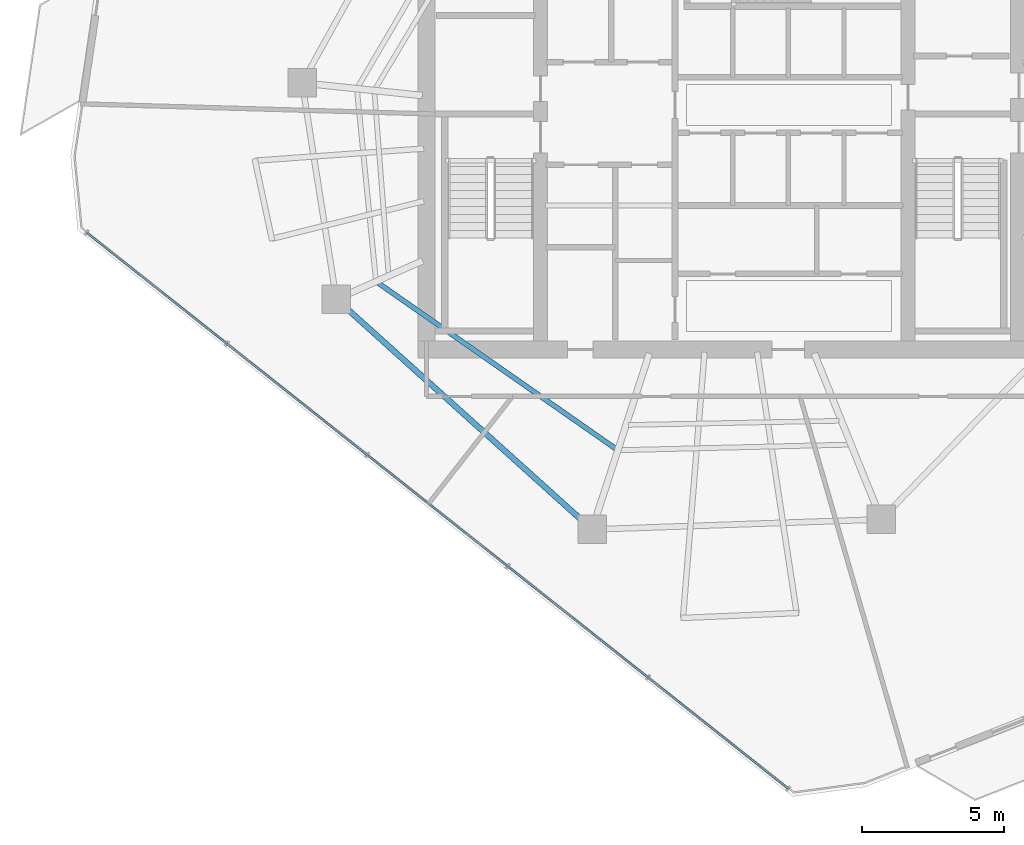
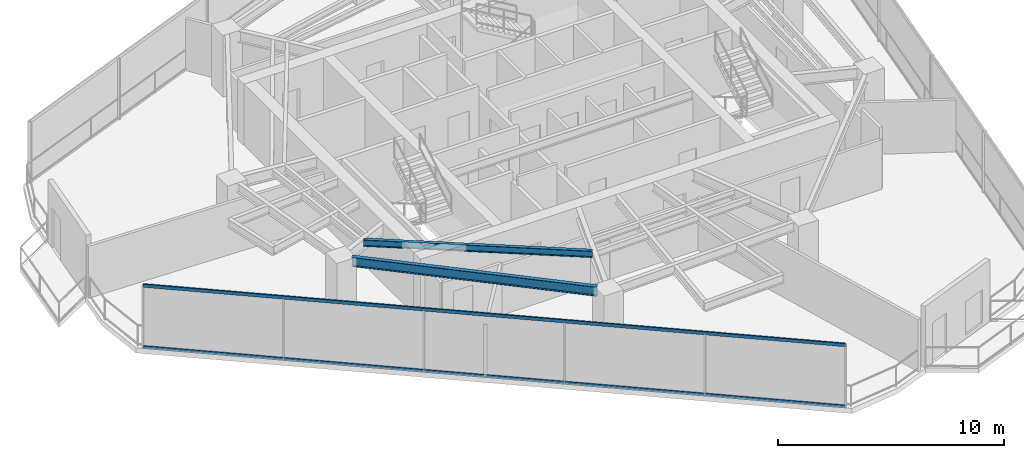
# One storey, part 3 of 20: 2 beams, 2 members, 1 element without a shape of its own.
"""IFC4 building model written with IfcOpenShell, lengths in metres."""

from ifc_helpers import new_model, si_unit, direction, frame, origin, origin_2d, place, context, subcontext, project, spatial, hollow_rectangle, i_section, extrude, material, layer, layer_set, material_profile, profile_set, type_object, element, aggregate, save


model = new_model("IFC4")

# Units and contexts
model_context = context("Model", 3, precision=1e-05, world=origin(), true_north=direction((0.0, 1.0)))
body_context = subcontext(model_context, "Body", "Model", "MODEL_VIEW")
ifc_project = project(units=[si_unit("LENGTHUNIT", "METRE"), si_unit("AREAUNIT", "SQUARE_METRE"), si_unit("VOLUMEUNIT", "CUBIC_METRE"), si_unit("PLANEANGLEUNIT", "RADIAN"), si_unit("MASSUNIT", "GRAM", prefix="KILO")], contexts=[model_context])

# Site, building, storey
site_placement = place(None, origin())
site = spatial("IfcSite", under=ifc_project, at=site_placement, CompositionType="ELEMENT")
building_placement = place(site_placement, origin())
building = spatial("IfcBuilding", under=site, at=building_placement, Name="Qarnah Convention Tower", CompositionType="ELEMENT")
storey_placement = place(building_placement, frame((0.0, 0.0, 147.300048828125)))
storey = spatial("IfcBuildingStorey", under=building, at=storey_placement, Name="L39", CompositionType="ELEMENT", Elevation=147.300048828125)

# Beams
ifc_material_1 = material(Name="Structural steel S355JR", Category="steel")
ifc_material_profile_1 = material_profile(ifc_material_1, i_section(OverallWidth=0.172119140625, OverallDepth=0.35595703125, WebThickness=0.007080078125, FlangeThickness=0.011962890625, at=origin_2d()), Name="W360X51")
ifc_profile_set_1 = profile_set([ifc_material_profile_1], Name="Structural steel S355JR")
beam_type_1 = type_object("IfcBeamType", Name="BM-JST-W360", PredefinedType="JOIST", material=ifc_profile_set_1)
beam_1_placement = place(storey_placement, frame((25.10107421875, 20.928955078125, 3.141845703125), z_axis=(0.820110709976, -0.572204878852, 0.0), x_axis=(0.572204878852, 0.820110709976, 0.0)))
element("IfcBeam", 1, at=beam_1_placement, inside=storey, type_object=beam_type_1, Name="L39 joist BM-L39-SJST-06", PredefinedType="JOIST", context=body_context, shape_type="SweptSolid", body=[
    extrude(i_section(OverallWidth=0.172119140625, OverallDepth=0.35595703125, WebThickness=0.007080078125, FlangeThickness=0.011962890625, at=origin_2d()), origin(), (0.0, 0.0, 1.0), 10.169189453125),
])
ifc_material_profile_2 = material_profile(ifc_material_1, i_section(OverallWidth=0.199951171875, OverallDepth=0.5, WebThickness=0.010009765625, FlangeThickness=0.01611328125, at=origin_2d()), Name="IPE500")
ifc_profile_set_2 = profile_set([ifc_material_profile_2], Name="Structural steel S355JR")
beam_type_2 = type_object("IfcBeamType", Name="BM-SPN-IPE500", PredefinedType="SPANDREL", material=ifc_profile_set_2)
beam_2_placement = place(storey_placement, frame((23.998046875, 20.031982421875, 3.070068359375), z_axis=(0.743165079224, -0.66910811161, 0.0), x_axis=(0.66910811161, 0.743165079224, 0.0)))
element("IfcBeam", 2, at=beam_2_placement, inside=storey, type_object=beam_type_2, Name="L39 spandrel BM-L39-SPN-06", PredefinedType="SPANDREL", context=body_context, shape_type="SweptSolid", body=[
    extrude(i_section(OverallWidth=0.199951171875, OverallDepth=0.5, WebThickness=0.010009765625, FlangeThickness=0.01611328125, at=origin_2d()), origin(), (0.0, 0.0, 1.0), 11.099853515625),
])

# Curtain wall, members
ifc_material_2 = material(Name="Tempered Low-E dark glass", Category="glass")
ifc_layer = layer(ifc_material_2, 0.172119140625)
ifc_layer_set = layer_set([ifc_layer], Name="Tempered Low-E dark glass")
curtain_wall_type = type_object("IfcCurtainWallType", Name="CWS-03", PredefinedType="NOTDEFINED", material=ifc_layer_set)
curtain_wall_placement = place(storey_placement, origin())
curtain_wall = element("IfcCurtainWall", 3, at=curtain_wall_placement, inside=storey, type_object=curtain_wall_type, Name="L39 unitised curtain wall CW-L39-F2", PredefinedType="NOTDEFINED")
ifc_material_3 = material(Name="Black anodised aluminium", Category="aluminium")
ifc_material_profile_3 = material_profile(ifc_material_3, hollow_rectangle(XDim=0.070068359375, YDim=0.169921875, WallThickness=0.0048828125, at=origin_2d()), Name="TRN-70X170")
ifc_profile_set_3 = profile_set([ifc_material_profile_3], Name="Black anodised aluminium")
member_type = type_object("IfcMemberType", Name="TRN-T3", PredefinedType="USERDEFINED", material=ifc_profile_set_3)
member_1_placement = place(storey_placement, frame((39.493896484375, 3.179931640625, 0.0), z_axis=(-0.783687795239, 0.621154923987, 0.0), x_axis=(-0.621154923987, -0.783687795239, 0.0)))
member_1 = element("IfcMember", 4, at=member_1_placement, type_object=member_type, Name="CW-L39-F2 transom 1", ObjectType="TRANSOM", PredefinedType="USERDEFINED", context=body_context, shape_type="SweptSolid", body=[
    extrude(hollow_rectangle(XDim=0.070068359375, YDim=0.169921875, WallThickness=0.0048828125, at=origin_2d()), origin(), (0.0, 0.0, 1.0), 31.427001953125),
])
member_2_placement = place(storey_placement, frame((39.493896484375, 3.179931640625, 3.320068359375), z_axis=(-0.783687795239, 0.621154923987, 0.0), x_axis=(-0.621154923987, -0.783687795239, 0.0)))
member_2 = element("IfcMember", 5, at=member_2_placement, type_object=member_type, Name="CW-L39-F2 transom 2", ObjectType="TRANSOM", PredefinedType="USERDEFINED", context=body_context, shape_type="SweptSolid", body=[
    extrude(hollow_rectangle(XDim=0.070068359375, YDim=0.169921875, WallThickness=0.0048828125, at=origin_2d()), origin(), (0.0, 0.0, 1.0), 31.427001953125),
])
aggregate(curtain_wall, [member_1, member_2])

save(model, "model.ifc")
